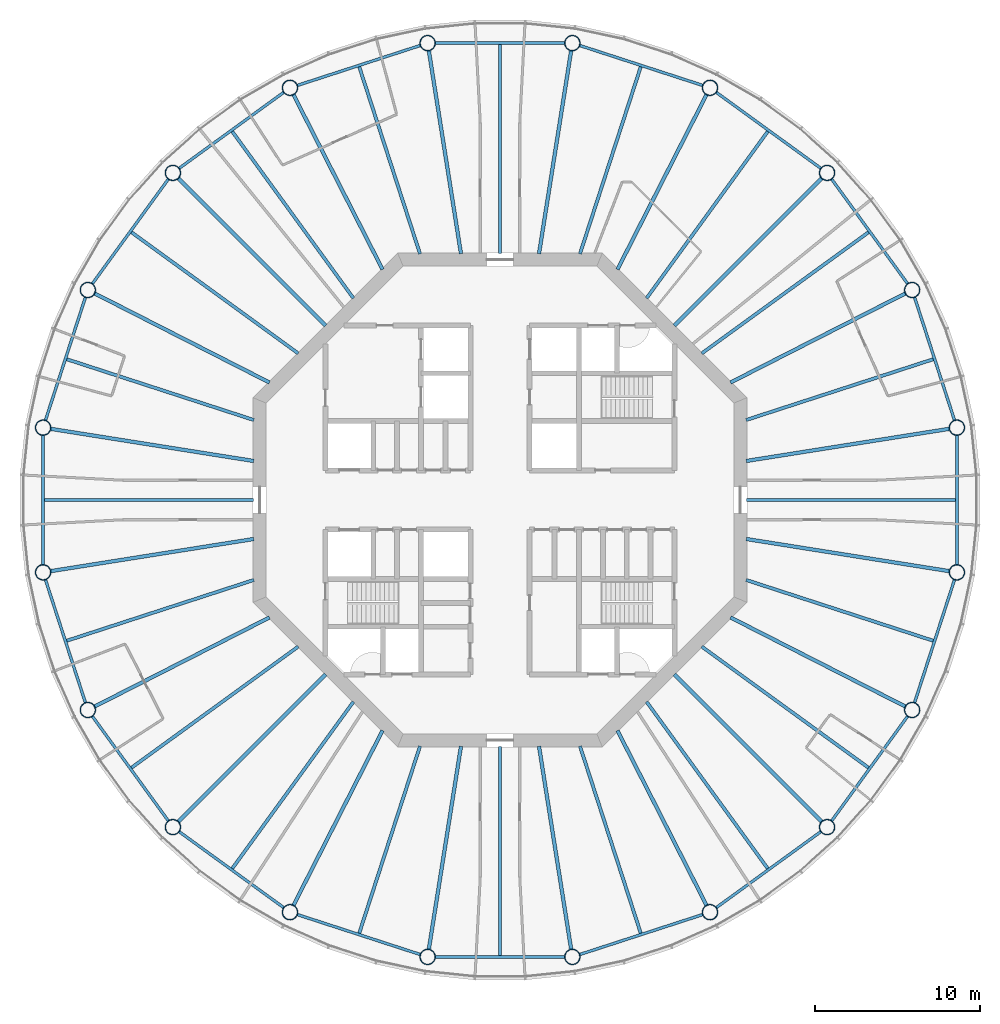
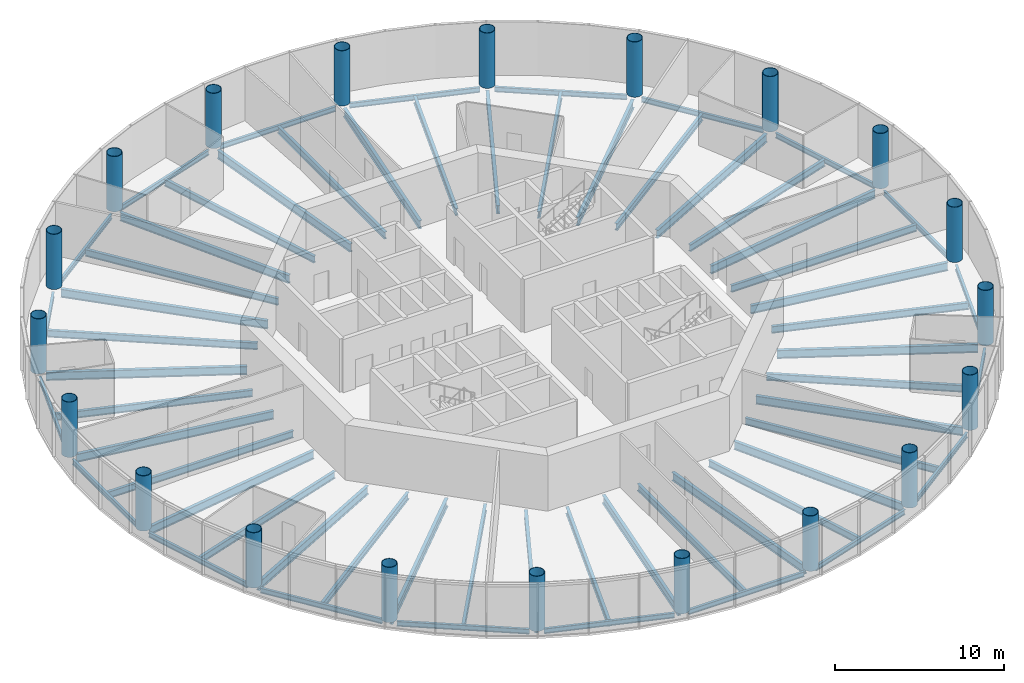
# One storey, part 1 of 13: 60 beams, 20 columns.
"""IFC4 building model written with IfcOpenShell, lengths in metres."""

from ifc_helpers import new_model, si_unit, direction, frame, origin, origin_2d, place, context, subcontext, project, spatial, circle, hollow_circle, i_section, extrude, material, material_profile, profile_set, type_object, element, save


model = new_model("IFC4")

# Units and contexts
model_context = context("Model", 3, precision=1e-05, world=origin(), true_north=direction((0.0, 1.0)))
body_context = subcontext(model_context, "Body", "Model", "MODEL_VIEW")
ifc_project = project(units=[si_unit("LENGTHUNIT", "METRE"), si_unit("AREAUNIT", "SQUARE_METRE"), si_unit("VOLUMEUNIT", "CUBIC_METRE"), si_unit("PLANEANGLEUNIT", "RADIAN"), si_unit("MASSUNIT", "GRAM", prefix="KILO")], contexts=[model_context])

# Site, building, storey
site_placement = place(None, origin())
site = spatial("IfcSite", under=ifc_project, at=site_placement, CompositionType="ELEMENT")
building_placement = place(site_placement, origin())
building = spatial("IfcBuilding", under=site, at=building_placement, Name="Entoto Ring Tower", CompositionType="ELEMENT")
storey_placement = place(building_placement, frame((0.0, 0.0, 318.0)))
storey = spatial("IfcBuildingStorey", under=building, at=storey_placement, Name="L73", CompositionType="ELEMENT", Elevation=318.0)

# Columns
ifc_material_1 = material(Name="Steel S355", Category="steel")
ifc_material_profile_1 = material_profile(ifc_material_1, hollow_circle(Radius=0.47509765625, WallThickness=0.034912109375, at=origin_2d()), Name="CHS 950 x 35")
ifc_material_2 = material(Name="Concrete C60/75", Category="concrete")
ifc_material_profile_2 = material_profile(ifc_material_2, circle(Radius=0.43994140625, at=origin_2d()), Name="Concrete C60/75 infill")
ifc_profile_set_1 = profile_set([ifc_material_profile_1, ifc_material_profile_2], Name="Steel S355")
column_type = type_object("IfcColumnType", Name="Ring column 950 x 35 concrete-filled tube", PredefinedType="COLUMN", material=ifc_profile_set_1)
for number, where, z_axis, x_axis, name in (
    (1, (117.754150390625, 84.395751953125, 0.0), (0.0, 0.0, 1.0), (1.0, 0.0, 0.0), "RC5 R01"),
    (2, (115.037353515625, 92.757080078125, 0.0), (0.0, 0.0, 1.0), (1.0, 0.0, 0.0), "RC5 R02"),
    (3, (109.86962890625, 99.86962890625, 0.0), (0.0, 0.0, 1.0), (1.0, 0.0, 0.0), "RC5 R03"),
    (4, (102.757080078125, 105.037353515625, 0.0), (0.0, 0.0, 1.0), (1.0, 0.0, 0.0), "RC5 R04"),
    (5, (94.395751953125, 107.754150390625, 0.0), (0.0, 0.0, 1.0), (1.0, 0.0, 0.0), "RC5 R05"),
    (6, (85.604248046875, 107.754150390625, 0.0), (0.0, 0.0, 1.0), (1.0, 0.0, 0.0), "RC5 R06"),
    (7, (77.242919921875, 105.037353515625, 0.0), (0.0, 0.0, 1.0), (1.0, 0.0, 0.0), "RC5 R07"),
    (8, (70.13037109375, 99.86962890625, 0.0), (0.0, 0.0, 1.0), (1.0, 0.0, 0.0), "RC5 R08"),
    (9, (64.962646484375, 92.757080078125, 0.0), (0.0, 0.0, 1.0), (1.0, 0.0, 0.0), "RC5 R09"),
    (10, (62.245849609375, 84.395751953125, 0.0), (0.0, 0.0, 1.0), (1.0, 0.0, 0.0), "RC5 R10"),
    (11, (62.245849609375, 75.604248046875, 0.0), (0.0, 0.0, 1.0), (1.0, 0.0, 0.0), "RC5 R11"),
    (12, (64.962646484375, 67.242919921875, 0.0), (0.0, 0.0, 1.0), (1.0, 0.0, 0.0), "RC5 R12"),
    (13, (70.13037109375, 60.13037109375, 0.0), (0.0, 0.0, 1.0), (1.0, 0.0, 0.0), "RC5 R13"),
    (14, (77.242919921875, 54.962646484375, 0.0), (0.0, 0.0, 1.0), (1.0, 0.0, 0.0), "RC5 R14"),
    (15, (85.604248046875, 52.245849609375, 0.0), (0.0, 0.0, 1.0), (1.0, 0.0, 0.0), "RC5 R15"),
    (16, (94.395751953125, 52.245849609375, 0.0), (0.0, 0.0, 1.0), (1.0, 0.0, 0.0), "RC5 R16"),
    (17, (102.757080078125, 54.962646484375, 0.0), (0.0, 0.0, 1.0), (1.0, 0.0, 0.0), "RC5 R17"),
    (18, (109.86962890625, 60.13037109375, 0.0), (0.0, 0.0, 1.0), (1.0, 0.0, 0.0), "RC5 R18"),
    (19, (115.037353515625, 67.242919921875, 0.0), (0.0, 0.0, 1.0), (1.0, 0.0, 0.0), "RC5 R19"),
    (20, (117.754150390625, 75.604248046875, 0.0), (0.0, 0.0, 1.0), (1.0, 0.0, 0.0), "RC5 R20"),
):
    element("IfcColumn", number, at=place(storey_placement, frame(where, z_axis=z_axis, x_axis=x_axis)), inside=storey, type_object=column_type, Name=name, PredefinedType="COLUMN", context=body_context, shape_type="SweptSolid", body=[
        extrude(hollow_circle(Radius=0.47509765625, WallThickness=0.034912109375, at=origin_2d()), origin(), (0.0, 0.0, 1.0), 4.0),
    ])

# Beams
ifc_material_3 = material(Name="Steel S355", Category="steel")
ifc_material_profile_3 = material_profile(ifc_material_3, i_section(OverallWidth=0.169921875, OverallDepth=0.360107421875, WebThickness=0.008056640625, FlangeThickness=0.0126953125, FilletRadius=0.01806640625, at=origin_2d()), Name="IPE 360")
ifc_profile_set_2 = profile_set([ifc_material_profile_3], Name="Steel S355")
beam_type_1 = type_object("IfcBeamType", Name="Edge beam IPE 360", PredefinedType="SPANDREL", material=ifc_profile_set_2)
beam_1_placement = place(storey_placement, frame((117.61572265625, 84.8212890625, -0.330078125), z_axis=(-0.309002883506, 0.951061101079, 0.0), x_axis=(-0.951061101079, -0.309002883506, 0.0)))
element("IfcBeam", 21, at=beam_1_placement, inside=storey, type_object=beam_type_1, Name="Edge beam L73 01", PredefinedType="SPANDREL", context=body_context, shape_type="SweptSolid", body=[
    extrude(i_section(OverallWidth=0.169921875, OverallDepth=0.360107421875, WebThickness=0.008056640625, FlangeThickness=0.0126953125, FilletRadius=0.01806640625, at=origin_2d()), origin(), (0.0, 0.0, 1.0), 7.89697265625),
])
for number, where, z_axis, x_axis, name in (
    (22, (114.7744140625, 93.118896484375, -0.330078125), (-0.587787449408, 0.809015398073, 0.0), (-0.809015398073, -0.587787449408, 0.0), "Edge beam L73 02"),
    (23, (109.5078125, 100.132568359375, -0.330078125), (-0.809015398073, 0.587787449408, 0.0), (-0.587787449408, -0.809015398073, 0.0), "Edge beam L73 03"),
):
    element("IfcBeam", number, at=place(storey_placement, frame(where, z_axis=z_axis, x_axis=x_axis)), inside=storey, type_object=beam_type_1, Name=name, PredefinedType="SPANDREL", context=body_context, shape_type="SweptSolid", body=[
        extrude(i_section(OverallWidth=0.169921875, OverallDepth=0.360107421875, WebThickness=0.008056640625, FlangeThickness=0.0126953125, FilletRadius=0.01806640625, at=origin_2d()), origin(), (0.0, 0.0, 1.0), 7.897216796875),
    ])
for number, where, z_axis, x_axis, name in (
    (24, (102.331787109375, 105.175537109375, -0.330078125), (-0.951061101079, 0.309002883506, 0.0), (-0.309002883506, -0.951061101079, 0.0), "Edge beam L73 04"),
    (25, (93.948486328125, 107.754150390625, -0.330078125), (-1.0, 0.0, 0.0), (0.0, -1.0, 0.0), "Edge beam L73 05"),
    (26, (85.1787109375, 107.61572265625, -0.330078125), (-0.951061101079, -0.309002883506, 0.0), (0.309002883506, -0.951061101079, 0.0), "Edge beam L73 06"),
):
    element("IfcBeam", number, at=place(storey_placement, frame(where, z_axis=z_axis, x_axis=x_axis)), inside=storey, type_object=beam_type_1, Name=name, PredefinedType="SPANDREL", context=body_context, shape_type="SweptSolid", body=[
        extrude(i_section(OverallWidth=0.169921875, OverallDepth=0.360107421875, WebThickness=0.008056640625, FlangeThickness=0.0126953125, FilletRadius=0.01806640625, at=origin_2d()), origin(), (0.0, 0.0, 1.0), 7.89697265625),
    ])
for number, where, z_axis, x_axis, name in (
    (27, (76.881103515625, 104.7744140625, -0.330078125), (-0.809015398073, -0.587787449408, 0.0), (0.587787449408, -0.809015398073, 0.0), "Edge beam L73 07"),
    (28, (69.867431640625, 99.5078125, -0.330078125), (-0.587787449408, -0.809015398073, 0.0), (0.809015398073, -0.587787449408, 0.0), "Edge beam L73 08"),
):
    element("IfcBeam", number, at=place(storey_placement, frame(where, z_axis=z_axis, x_axis=x_axis)), inside=storey, type_object=beam_type_1, Name=name, PredefinedType="SPANDREL", context=body_context, shape_type="SweptSolid", body=[
        extrude(i_section(OverallWidth=0.169921875, OverallDepth=0.360107421875, WebThickness=0.008056640625, FlangeThickness=0.0126953125, FilletRadius=0.01806640625, at=origin_2d()), origin(), (0.0, 0.0, 1.0), 7.897216796875),
    ])
for number, where, z_axis, x_axis, name in (
    (29, (64.824462890625, 92.331787109375, -0.330078125), (-0.309002883506, -0.951061101079, 0.0), (0.951061101079, -0.309002883506, 0.0), "Edge beam L73 09"),
    (30, (62.245849609375, 83.948486328125, -0.330078125), (0.0, -1.0, 0.0), (1.0, 0.0, 0.0), "Edge beam L73 10"),
    (31, (62.38427734375, 75.1787109375, -0.330078125), (0.309002883506, -0.951061101079, 0.0), (0.951061101079, 0.309002883506, 0.0), "Edge beam L73 11"),
):
    element("IfcBeam", number, at=place(storey_placement, frame(where, z_axis=z_axis, x_axis=x_axis)), inside=storey, type_object=beam_type_1, Name=name, PredefinedType="SPANDREL", context=body_context, shape_type="SweptSolid", body=[
        extrude(i_section(OverallWidth=0.169921875, OverallDepth=0.360107421875, WebThickness=0.008056640625, FlangeThickness=0.0126953125, FilletRadius=0.01806640625, at=origin_2d()), origin(), (0.0, 0.0, 1.0), 7.89697265625),
    ])
for number, where, z_axis, x_axis, name in (
    (32, (65.2255859375, 66.881103515625, -0.330078125), (0.587787449408, -0.809015398073, 0.0), (0.809015398073, 0.587787449408, 0.0), "Edge beam L73 12"),
    (33, (70.4921875, 59.867431640625, -0.330078125), (0.809015398073, -0.587787449408, 0.0), (0.587787449408, 0.809015398073, 0.0), "Edge beam L73 13"),
):
    element("IfcBeam", number, at=place(storey_placement, frame(where, z_axis=z_axis, x_axis=x_axis)), inside=storey, type_object=beam_type_1, Name=name, PredefinedType="SPANDREL", context=body_context, shape_type="SweptSolid", body=[
        extrude(i_section(OverallWidth=0.169921875, OverallDepth=0.360107421875, WebThickness=0.008056640625, FlangeThickness=0.0126953125, FilletRadius=0.01806640625, at=origin_2d()), origin(), (0.0, 0.0, 1.0), 7.897216796875),
    ])
for number, where, z_axis, x_axis, name in (
    (34, (77.668212890625, 54.824462890625, -0.330078125), (0.951061101079, -0.309002883506, 0.0), (0.309002883506, 0.951061101079, 0.0), "Edge beam L73 14"),
    (35, (86.051513671875, 52.245849609375, -0.330078125), (1.0, 0.0, 0.0), (0.0, 1.0, 0.0), "Edge beam L73 15"),
    (36, (94.8212890625, 52.38427734375, -0.330078125), (0.951061101079, 0.309002883506, 0.0), (-0.309002883506, 0.951061101079, 0.0), "Edge beam L73 16"),
):
    element("IfcBeam", number, at=place(storey_placement, frame(where, z_axis=z_axis, x_axis=x_axis)), inside=storey, type_object=beam_type_1, Name=name, PredefinedType="SPANDREL", context=body_context, shape_type="SweptSolid", body=[
        extrude(i_section(OverallWidth=0.169921875, OverallDepth=0.360107421875, WebThickness=0.008056640625, FlangeThickness=0.0126953125, FilletRadius=0.01806640625, at=origin_2d()), origin(), (0.0, 0.0, 1.0), 7.89697265625),
    ])
for number, where, z_axis, x_axis, name in (
    (37, (103.118896484375, 55.2255859375, -0.330078125), (0.809015398073, 0.587787449408, 0.0), (-0.587787449408, 0.809015398073, 0.0), "Edge beam L73 17"),
    (38, (110.132568359375, 60.4921875, -0.330078125), (0.587787449408, 0.809015398073, 0.0), (-0.809015398073, 0.587787449408, 0.0), "Edge beam L73 18"),
):
    element("IfcBeam", number, at=place(storey_placement, frame(where, z_axis=z_axis, x_axis=x_axis)), inside=storey, type_object=beam_type_1, Name=name, PredefinedType="SPANDREL", context=body_context, shape_type="SweptSolid", body=[
        extrude(i_section(OverallWidth=0.169921875, OverallDepth=0.360107421875, WebThickness=0.008056640625, FlangeThickness=0.0126953125, FilletRadius=0.01806640625, at=origin_2d()), origin(), (0.0, 0.0, 1.0), 7.897216796875),
    ])
for number, where, z_axis, x_axis, name in (
    (39, (115.175537109375, 67.668212890625, -0.330078125), (0.309002883506, 0.951061101079, 0.0), (-0.951061101079, 0.309002883506, 0.0), "Edge beam L73 19"),
    (40, (117.754150390625, 76.051513671875, -0.330078125), (0.0, 1.0, 0.0), (-1.0, 0.0, 0.0), "Edge beam L73 20"),
):
    element("IfcBeam", number, at=place(storey_placement, frame(where, z_axis=z_axis, x_axis=x_axis)), inside=storey, type_object=beam_type_1, Name=name, PredefinedType="SPANDREL", context=body_context, shape_type="SweptSolid", body=[
        extrude(i_section(OverallWidth=0.169921875, OverallDepth=0.360107421875, WebThickness=0.008056640625, FlangeThickness=0.0126953125, FilletRadius=0.01806640625, at=origin_2d()), origin(), (0.0, 0.0, 1.0), 7.89697265625),
    ])
ifc_material_4 = material(Name="Steel S355", Category="steel")
ifc_material_profile_4 = material_profile(ifc_material_4, i_section(OverallWidth=0.219970703125, OverallDepth=0.60009765625, WebThickness=0.011962890625, FlangeThickness=0.01904296875, FilletRadius=0.02392578125, at=origin_2d()), Name="IPE 600")
ifc_profile_set_3 = profile_set([ifc_material_profile_4], Name="Steel S355")
beam_type_2 = type_object("IfcBeamType", Name="Primary floor beam IPE 600", PredefinedType="BEAM", material=ifc_profile_set_3)
beam_2_placement = place(storey_placement, frame((104.963134765625, 82.369873046875, -0.449951171875), z_axis=(0.987687519796, 0.156439647277, 0.0), x_axis=(-0.156439647277, 0.987687519796, 0.0)))
element("IfcBeam", 41, at=beam_2_placement, inside=storey, type_object=beam_type_2, Name="Primary L73 R01", PredefinedType="BEAM", context=body_context, shape_type="SweptSolid", body=[
    extrude(i_section(OverallWidth=0.219970703125, OverallDepth=0.60009765625, WebThickness=0.011962890625, FlangeThickness=0.01904296875, FilletRadius=0.02392578125, at=origin_2d()), origin(), (0.0, 0.0, 1.0), 12.50830078125),
])
beam_3_placement = place(storey_placement, frame((104.003173828125, 87.135009765625, -0.449951171875), z_axis=(0.891007666593, 0.453988257638, 0.0), x_axis=(-0.453988257638, 0.891007666593, 0.0)))
element("IfcBeam", 42, at=beam_3_placement, inside=storey, type_object=beam_type_2, Name="Primary L73 R02", PredefinedType="BEAM", context=body_context, shape_type="SweptSolid", body=[
    extrude(i_section(OverallWidth=0.219970703125, OverallDepth=0.60009765625, WebThickness=0.011962890625, FlangeThickness=0.01904296875, FilletRadius=0.02392578125, at=origin_2d()), origin(), (0.0, 0.0, 1.0), 11.941650390625),
])
beam_4_placement = place(storey_placement, frame((100.592529296875, 90.592529296875, -0.449951171875), z_axis=(0.707106781187, 0.707106781187, 0.0), x_axis=(-0.707106781187, 0.707106781187, 0.0)))
element("IfcBeam", 43, at=beam_4_placement, inside=storey, type_object=beam_type_2, Name="Primary L73 R03", PredefinedType="BEAM", context=body_context, shape_type="SweptSolid", body=[
    extrude(i_section(OverallWidth=0.219970703125, OverallDepth=0.60009765625, WebThickness=0.011962890625, FlangeThickness=0.01904296875, FilletRadius=0.02392578125, at=origin_2d()), origin(), (0.0, 0.0, 1.0), 12.677978515625),
])
beam_5_placement = place(storey_placement, frame((97.135009765625, 94.003173828125, -0.449951171875), z_axis=(0.453988257638, 0.891007666593, 0.0), x_axis=(-0.891007666593, 0.453988257638, 0.0)))
element("IfcBeam", 44, at=beam_5_placement, inside=storey, type_object=beam_type_2, Name="Primary L73 R04", PredefinedType="BEAM", context=body_context, shape_type="SweptSolid", body=[
    extrude(i_section(OverallWidth=0.219970703125, OverallDepth=0.60009765625, WebThickness=0.011962890625, FlangeThickness=0.01904296875, FilletRadius=0.02392578125, at=origin_2d()), origin(), (0.0, 0.0, 1.0), 11.941650390625),
])
for number, where, z_axis, x_axis, name in (
    (45, (92.369873046875, 94.963134765625, -0.449951171875), (0.156439647277, 0.987687519796, 0.0), (-0.987687519796, 0.156439647277, 0.0), "Primary L73 R05"),
    (46, (87.630126953125, 94.963134765625, -0.449951171875), (-0.156439647277, 0.987687519796, 0.0), (-0.987687519796, -0.156439647277, 0.0), "Primary L73 R06"),
):
    element("IfcBeam", number, at=place(storey_placement, frame(where, z_axis=z_axis, x_axis=x_axis)), inside=storey, type_object=beam_type_2, Name=name, PredefinedType="BEAM", context=body_context, shape_type="SweptSolid", body=[
        extrude(i_section(OverallWidth=0.219970703125, OverallDepth=0.60009765625, WebThickness=0.011962890625, FlangeThickness=0.01904296875, FilletRadius=0.02392578125, at=origin_2d()), origin(), (0.0, 0.0, 1.0), 12.50830078125),
    ])
beam_6_placement = place(storey_placement, frame((82.864990234375, 94.003173828125, -0.449951171875), z_axis=(-0.453988257638, 0.891007666593, 0.0), x_axis=(-0.891007666593, -0.453988257638, 0.0)))
element("IfcBeam", 47, at=beam_6_placement, inside=storey, type_object=beam_type_2, Name="Primary L73 R07", PredefinedType="BEAM", context=body_context, shape_type="SweptSolid", body=[
    extrude(i_section(OverallWidth=0.219970703125, OverallDepth=0.60009765625, WebThickness=0.011962890625, FlangeThickness=0.01904296875, FilletRadius=0.02392578125, at=origin_2d()), origin(), (0.0, 0.0, 1.0), 11.941650390625),
])
beam_7_placement = place(storey_placement, frame((79.407470703125, 90.592529296875, -0.449951171875), z_axis=(-0.707106781187, 0.707106781187, 0.0), x_axis=(-0.707106781187, -0.707106781187, 0.0)))
element("IfcBeam", 48, at=beam_7_placement, inside=storey, type_object=beam_type_2, Name="Primary L73 R08", PredefinedType="BEAM", context=body_context, shape_type="SweptSolid", body=[
    extrude(i_section(OverallWidth=0.219970703125, OverallDepth=0.60009765625, WebThickness=0.011962890625, FlangeThickness=0.01904296875, FilletRadius=0.02392578125, at=origin_2d()), origin(), (0.0, 0.0, 1.0), 12.677978515625),
])
beam_8_placement = place(storey_placement, frame((75.996826171875, 87.135009765625, -0.449951171875), z_axis=(-0.891007666593, 0.453988257638, 0.0), x_axis=(-0.453988257638, -0.891007666593, 0.0)))
element("IfcBeam", 49, at=beam_8_placement, inside=storey, type_object=beam_type_2, Name="Primary L73 R09", PredefinedType="BEAM", context=body_context, shape_type="SweptSolid", body=[
    extrude(i_section(OverallWidth=0.219970703125, OverallDepth=0.60009765625, WebThickness=0.011962890625, FlangeThickness=0.01904296875, FilletRadius=0.02392578125, at=origin_2d()), origin(), (0.0, 0.0, 1.0), 11.941650390625),
])
for number, where, z_axis, x_axis, name in (
    (50, (75.036865234375, 82.369873046875, -0.449951171875), (-0.987687519796, 0.156439647277, 0.0), (-0.156439647277, -0.987687519796, 0.0), "Primary L73 R10"),
    (51, (75.036865234375, 77.630126953125, -0.449951171875), (-0.987687519796, -0.156439647277, 0.0), (0.156439647277, -0.987687519796, 0.0), "Primary L73 R11"),
):
    element("IfcBeam", number, at=place(storey_placement, frame(where, z_axis=z_axis, x_axis=x_axis)), inside=storey, type_object=beam_type_2, Name=name, PredefinedType="BEAM", context=body_context, shape_type="SweptSolid", body=[
        extrude(i_section(OverallWidth=0.219970703125, OverallDepth=0.60009765625, WebThickness=0.011962890625, FlangeThickness=0.01904296875, FilletRadius=0.02392578125, at=origin_2d()), origin(), (0.0, 0.0, 1.0), 12.50830078125),
    ])
beam_9_placement = place(storey_placement, frame((75.996826171875, 72.864990234375, -0.449951171875), z_axis=(-0.891007666593, -0.453988257638, 0.0), x_axis=(0.453988257638, -0.891007666593, 0.0)))
element("IfcBeam", 52, at=beam_9_placement, inside=storey, type_object=beam_type_2, Name="Primary L73 R12", PredefinedType="BEAM", context=body_context, shape_type="SweptSolid", body=[
    extrude(i_section(OverallWidth=0.219970703125, OverallDepth=0.60009765625, WebThickness=0.011962890625, FlangeThickness=0.01904296875, FilletRadius=0.02392578125, at=origin_2d()), origin(), (0.0, 0.0, 1.0), 11.941650390625),
])
beam_10_placement = place(storey_placement, frame((79.407470703125, 69.407470703125, -0.449951171875), z_axis=(-0.707106781187, -0.707106781187, 0.0), x_axis=(0.707106781187, -0.707106781187, 0.0)))
element("IfcBeam", 53, at=beam_10_placement, inside=storey, type_object=beam_type_2, Name="Primary L73 R13", PredefinedType="BEAM", context=body_context, shape_type="SweptSolid", body=[
    extrude(i_section(OverallWidth=0.219970703125, OverallDepth=0.60009765625, WebThickness=0.011962890625, FlangeThickness=0.01904296875, FilletRadius=0.02392578125, at=origin_2d()), origin(), (0.0, 0.0, 1.0), 12.677978515625),
])
beam_11_placement = place(storey_placement, frame((82.864990234375, 65.996826171875, -0.449951171875), z_axis=(-0.453988257638, -0.891007666593, 0.0), x_axis=(0.891007666593, -0.453988257638, 0.0)))
element("IfcBeam", 54, at=beam_11_placement, inside=storey, type_object=beam_type_2, Name="Primary L73 R14", PredefinedType="BEAM", context=body_context, shape_type="SweptSolid", body=[
    extrude(i_section(OverallWidth=0.219970703125, OverallDepth=0.60009765625, WebThickness=0.011962890625, FlangeThickness=0.01904296875, FilletRadius=0.02392578125, at=origin_2d()), origin(), (0.0, 0.0, 1.0), 11.941650390625),
])
for number, where, z_axis, x_axis, name in (
    (55, (87.630126953125, 65.036865234375, -0.449951171875), (-0.156439647277, -0.987687519796, 0.0), (0.987687519796, -0.156439647277, 0.0), "Primary L73 R15"),
    (56, (92.369873046875, 65.036865234375, -0.449951171875), (0.156439647277, -0.987687519796, 0.0), (0.987687519796, 0.156439647277, 0.0), "Primary L73 R16"),
):
    element("IfcBeam", number, at=place(storey_placement, frame(where, z_axis=z_axis, x_axis=x_axis)), inside=storey, type_object=beam_type_2, Name=name, PredefinedType="BEAM", context=body_context, shape_type="SweptSolid", body=[
        extrude(i_section(OverallWidth=0.219970703125, OverallDepth=0.60009765625, WebThickness=0.011962890625, FlangeThickness=0.01904296875, FilletRadius=0.02392578125, at=origin_2d()), origin(), (0.0, 0.0, 1.0), 12.50830078125),
    ])
beam_12_placement = place(storey_placement, frame((97.135009765625, 65.996826171875, -0.449951171875), z_axis=(0.453988257638, -0.891007666593, 0.0), x_axis=(0.891007666593, 0.453988257638, 0.0)))
element("IfcBeam", 57, at=beam_12_placement, inside=storey, type_object=beam_type_2, Name="Primary L73 R17", PredefinedType="BEAM", context=body_context, shape_type="SweptSolid", body=[
    extrude(i_section(OverallWidth=0.219970703125, OverallDepth=0.60009765625, WebThickness=0.011962890625, FlangeThickness=0.01904296875, FilletRadius=0.02392578125, at=origin_2d()), origin(), (0.0, 0.0, 1.0), 11.941650390625),
])
beam_13_placement = place(storey_placement, frame((100.592529296875, 69.407470703125, -0.449951171875), z_axis=(0.707106781187, -0.707106781187, 0.0), x_axis=(0.707106781187, 0.707106781187, 0.0)))
element("IfcBeam", 58, at=beam_13_placement, inside=storey, type_object=beam_type_2, Name="Primary L73 R18", PredefinedType="BEAM", context=body_context, shape_type="SweptSolid", body=[
    extrude(i_section(OverallWidth=0.219970703125, OverallDepth=0.60009765625, WebThickness=0.011962890625, FlangeThickness=0.01904296875, FilletRadius=0.02392578125, at=origin_2d()), origin(), (0.0, 0.0, 1.0), 12.677978515625),
])
beam_14_placement = place(storey_placement, frame((104.003173828125, 72.864990234375, -0.449951171875), z_axis=(0.891007666593, -0.453988257638, 0.0), x_axis=(0.453988257638, 0.891007666593, 0.0)))
element("IfcBeam", 59, at=beam_14_placement, inside=storey, type_object=beam_type_2, Name="Primary L73 R19", PredefinedType="BEAM", context=body_context, shape_type="SweptSolid", body=[
    extrude(i_section(OverallWidth=0.219970703125, OverallDepth=0.60009765625, WebThickness=0.011962890625, FlangeThickness=0.01904296875, FilletRadius=0.02392578125, at=origin_2d()), origin(), (0.0, 0.0, 1.0), 11.941650390625),
])
beam_15_placement = place(storey_placement, frame((104.963134765625, 77.630126953125, -0.449951171875), z_axis=(0.987687519796, -0.156439647277, 0.0), x_axis=(0.156439647277, 0.987687519796, 0.0)))
element("IfcBeam", 60, at=beam_15_placement, inside=storey, type_object=beam_type_2, Name="Primary L73 R20", PredefinedType="BEAM", context=body_context, shape_type="SweptSolid", body=[
    extrude(i_section(OverallWidth=0.219970703125, OverallDepth=0.60009765625, WebThickness=0.011962890625, FlangeThickness=0.01904296875, FilletRadius=0.02392578125, at=origin_2d()), origin(), (0.0, 0.0, 1.0), 12.50830078125),
])
ifc_material_5 = material(Name="Steel S355", Category="steel")
ifc_material_profile_5 = material_profile(ifc_material_5, i_section(OverallWidth=0.199951171875, OverallDepth=0.5, WebThickness=0.01025390625, FlangeThickness=0.01611328125, FilletRadius=0.02099609375, at=origin_2d()), Name="IPE 500")
ifc_profile_set_4 = profile_set([ifc_material_profile_5], Name="Steel S355")
beam_type_3 = type_object("IfcBeamType", Name="Secondary floor beam IPE 500", PredefinedType="JOIST", material=ifc_profile_set_4)
beam_16_placement = place(storey_placement, frame((104.9501953125, 84.857666015625, -0.39990234375), z_axis=(0.951056587506, 0.30901677521, 0.0), x_axis=(-0.30901677521, 0.951056587506, 0.0)))
element("IfcBeam", 61, at=beam_16_placement, inside=storey, type_object=beam_type_3, Name="Secondary beam L73 01", PredefinedType="JOIST", context=body_context, shape_type="SweptSolid", body=[
    extrude(i_section(OverallWidth=0.199951171875, OverallDepth=0.5, WebThickness=0.01025390625, FlangeThickness=0.01611328125, FilletRadius=0.02099609375, at=origin_2d()), origin(), (0.0, 0.0, 1.0), 11.94970703125),
])
for number, where, z_axis, x_axis, name in (
    (62, (102.257568359375, 88.905517578125, -0.39990234375), (0.80901431041, 0.587788946436, 0.0), (-0.587788946436, 0.80901431041, 0.0), "Secondary beam L73 02"),
    (63, (98.905517578125, 92.257568359375, -0.39990234375), (0.587788946436, 0.80901431041, 0.0), (-0.80901431041, 0.587788946436, 0.0), "Secondary beam L73 03"),
):
    element("IfcBeam", number, at=place(storey_placement, frame(where, z_axis=z_axis, x_axis=x_axis)), inside=storey, type_object=beam_type_3, Name=name, PredefinedType="JOIST", context=body_context, shape_type="SweptSolid", body=[
        extrude(i_section(OverallWidth=0.199951171875, OverallDepth=0.5, WebThickness=0.01025390625, FlangeThickness=0.01611328125, FilletRadius=0.02099609375, at=origin_2d()), origin(), (0.0, 0.0, 1.0), 12.51806640625),
    ])
beam_17_placement = place(storey_placement, frame((94.857666015625, 94.9501953125, -0.39990234375), z_axis=(0.30901677521, 0.951056587506, 0.0), x_axis=(-0.951056587506, 0.30901677521, 0.0)))
element("IfcBeam", 64, at=beam_17_placement, inside=storey, type_object=beam_type_3, Name="Secondary beam L73 04", PredefinedType="JOIST", context=body_context, shape_type="SweptSolid", body=[
    extrude(i_section(OverallWidth=0.199951171875, OverallDepth=0.5, WebThickness=0.01025390625, FlangeThickness=0.01611328125, FilletRadius=0.02099609375, at=origin_2d()), origin(), (0.0, 0.0, 1.0), 11.94970703125),
])
beam_18_placement = place(storey_placement, frame((90.0, 94.97998046875, -0.39990234375), z_axis=(0.0, 1.0, 0.0), x_axis=(-1.0, 0.0, 0.0)))
element("IfcBeam", 65, at=beam_18_placement, inside=storey, type_object=beam_type_3, Name="Secondary beam L73 05", PredefinedType="JOIST", context=body_context, shape_type="SweptSolid", body=[
    extrude(i_section(OverallWidth=0.199951171875, OverallDepth=0.5, WebThickness=0.01025390625, FlangeThickness=0.01611328125, FilletRadius=0.02099609375, at=origin_2d()), origin(), (0.0, 0.0, 1.0), 12.68896484375),
])
beam_19_placement = place(storey_placement, frame((85.142333984375, 94.9501953125, -0.39990234375), z_axis=(-0.30901677521, 0.951056587506, 0.0), x_axis=(-0.951056587506, -0.30901677521, 0.0)))
element("IfcBeam", 66, at=beam_19_placement, inside=storey, type_object=beam_type_3, Name="Secondary beam L73 06", PredefinedType="JOIST", context=body_context, shape_type="SweptSolid", body=[
    extrude(i_section(OverallWidth=0.199951171875, OverallDepth=0.5, WebThickness=0.01025390625, FlangeThickness=0.01611328125, FilletRadius=0.02099609375, at=origin_2d()), origin(), (0.0, 0.0, 1.0), 11.94970703125),
])
for number, where, z_axis, x_axis, name in (
    (67, (81.094482421875, 92.257568359375, -0.39990234375), (-0.587788946436, 0.80901431041, 0.0), (-0.80901431041, -0.587788946436, 0.0), "Secondary beam L73 07"),
    (68, (77.742431640625, 88.905517578125, -0.39990234375), (-0.80901431041, 0.587788946436, 0.0), (-0.587788946436, -0.80901431041, 0.0), "Secondary beam L73 08"),
):
    element("IfcBeam", number, at=place(storey_placement, frame(where, z_axis=z_axis, x_axis=x_axis)), inside=storey, type_object=beam_type_3, Name=name, PredefinedType="JOIST", context=body_context, shape_type="SweptSolid", body=[
        extrude(i_section(OverallWidth=0.199951171875, OverallDepth=0.5, WebThickness=0.01025390625, FlangeThickness=0.01611328125, FilletRadius=0.02099609375, at=origin_2d()), origin(), (0.0, 0.0, 1.0), 12.51806640625),
    ])
beam_20_placement = place(storey_placement, frame((75.0498046875, 84.857666015625, -0.39990234375), z_axis=(-0.951056587506, 0.30901677521, 0.0), x_axis=(-0.30901677521, -0.951056587506, 0.0)))
element("IfcBeam", 69, at=beam_20_placement, inside=storey, type_object=beam_type_3, Name="Secondary beam L73 09", PredefinedType="JOIST", context=body_context, shape_type="SweptSolid", body=[
    extrude(i_section(OverallWidth=0.199951171875, OverallDepth=0.5, WebThickness=0.01025390625, FlangeThickness=0.01611328125, FilletRadius=0.02099609375, at=origin_2d()), origin(), (0.0, 0.0, 1.0), 11.94970703125),
])
beam_21_placement = place(storey_placement, frame((75.02001953125, 80.0, -0.39990234375), z_axis=(-1.0, 0.0, 0.0), x_axis=(0.0, -1.0, 0.0)))
element("IfcBeam", 70, at=beam_21_placement, inside=storey, type_object=beam_type_3, Name="Secondary beam L73 10", PredefinedType="JOIST", context=body_context, shape_type="SweptSolid", body=[
    extrude(i_section(OverallWidth=0.199951171875, OverallDepth=0.5, WebThickness=0.01025390625, FlangeThickness=0.01611328125, FilletRadius=0.02099609375, at=origin_2d()), origin(), (0.0, 0.0, 1.0), 12.68896484375),
])
beam_22_placement = place(storey_placement, frame((75.0498046875, 75.142333984375, -0.39990234375), z_axis=(-0.951056587506, -0.30901677521, 0.0), x_axis=(0.30901677521, -0.951056587506, 0.0)))
element("IfcBeam", 71, at=beam_22_placement, inside=storey, type_object=beam_type_3, Name="Secondary beam L73 11", PredefinedType="JOIST", context=body_context, shape_type="SweptSolid", body=[
    extrude(i_section(OverallWidth=0.199951171875, OverallDepth=0.5, WebThickness=0.01025390625, FlangeThickness=0.01611328125, FilletRadius=0.02099609375, at=origin_2d()), origin(), (0.0, 0.0, 1.0), 11.94970703125),
])
for number, where, z_axis, x_axis, name in (
    (72, (77.742431640625, 71.094482421875, -0.39990234375), (-0.80901431041, -0.587788946436, 0.0), (0.587788946436, -0.80901431041, 0.0), "Secondary beam L73 12"),
    (73, (81.094482421875, 67.742431640625, -0.39990234375), (-0.587788946436, -0.80901431041, 0.0), (0.80901431041, -0.587788946436, 0.0), "Secondary beam L73 13"),
):
    element("IfcBeam", number, at=place(storey_placement, frame(where, z_axis=z_axis, x_axis=x_axis)), inside=storey, type_object=beam_type_3, Name=name, PredefinedType="JOIST", context=body_context, shape_type="SweptSolid", body=[
        extrude(i_section(OverallWidth=0.199951171875, OverallDepth=0.5, WebThickness=0.01025390625, FlangeThickness=0.01611328125, FilletRadius=0.02099609375, at=origin_2d()), origin(), (0.0, 0.0, 1.0), 12.51806640625),
    ])
beam_23_placement = place(storey_placement, frame((85.142333984375, 65.0498046875, -0.39990234375), z_axis=(-0.30901677521, -0.951056587506, 0.0), x_axis=(0.951056587506, -0.30901677521, 0.0)))
element("IfcBeam", 74, at=beam_23_placement, inside=storey, type_object=beam_type_3, Name="Secondary beam L73 14", PredefinedType="JOIST", context=body_context, shape_type="SweptSolid", body=[
    extrude(i_section(OverallWidth=0.199951171875, OverallDepth=0.5, WebThickness=0.01025390625, FlangeThickness=0.01611328125, FilletRadius=0.02099609375, at=origin_2d()), origin(), (0.0, 0.0, 1.0), 11.94970703125),
])
beam_24_placement = place(storey_placement, frame((90.0, 65.02001953125, -0.39990234375), z_axis=(0.0, -1.0, 0.0), x_axis=(1.0, 0.0, 0.0)))
element("IfcBeam", 75, at=beam_24_placement, inside=storey, type_object=beam_type_3, Name="Secondary beam L73 15", PredefinedType="JOIST", context=body_context, shape_type="SweptSolid", body=[
    extrude(i_section(OverallWidth=0.199951171875, OverallDepth=0.5, WebThickness=0.01025390625, FlangeThickness=0.01611328125, FilletRadius=0.02099609375, at=origin_2d()), origin(), (0.0, 0.0, 1.0), 12.68896484375),
])
beam_25_placement = place(storey_placement, frame((94.857666015625, 65.0498046875, -0.39990234375), z_axis=(0.30901677521, -0.951056587506, 0.0), x_axis=(0.951056587506, 0.30901677521, 0.0)))
element("IfcBeam", 76, at=beam_25_placement, inside=storey, type_object=beam_type_3, Name="Secondary beam L73 16", PredefinedType="JOIST", context=body_context, shape_type="SweptSolid", body=[
    extrude(i_section(OverallWidth=0.199951171875, OverallDepth=0.5, WebThickness=0.01025390625, FlangeThickness=0.01611328125, FilletRadius=0.02099609375, at=origin_2d()), origin(), (0.0, 0.0, 1.0), 11.94970703125),
])
for number, where, z_axis, x_axis, name in (
    (77, (98.905517578125, 67.742431640625, -0.39990234375), (0.587788946436, -0.80901431041, 0.0), (0.80901431041, 0.587788946436, 0.0), "Secondary beam L73 17"),
    (78, (102.257568359375, 71.094482421875, -0.39990234375), (0.80901431041, -0.587788946436, 0.0), (0.587788946436, 0.80901431041, 0.0), "Secondary beam L73 18"),
):
    element("IfcBeam", number, at=place(storey_placement, frame(where, z_axis=z_axis, x_axis=x_axis)), inside=storey, type_object=beam_type_3, Name=name, PredefinedType="JOIST", context=body_context, shape_type="SweptSolid", body=[
        extrude(i_section(OverallWidth=0.199951171875, OverallDepth=0.5, WebThickness=0.01025390625, FlangeThickness=0.01611328125, FilletRadius=0.02099609375, at=origin_2d()), origin(), (0.0, 0.0, 1.0), 12.51806640625),
    ])
beam_26_placement = place(storey_placement, frame((104.9501953125, 75.142333984375, -0.39990234375), z_axis=(0.951056587506, -0.30901677521, 0.0), x_axis=(0.30901677521, 0.951056587506, 0.0)))
element("IfcBeam", 79, at=beam_26_placement, inside=storey, type_object=beam_type_3, Name="Secondary beam L73 19", PredefinedType="JOIST", context=body_context, shape_type="SweptSolid", body=[
    extrude(i_section(OverallWidth=0.199951171875, OverallDepth=0.5, WebThickness=0.01025390625, FlangeThickness=0.01611328125, FilletRadius=0.02099609375, at=origin_2d()), origin(), (0.0, 0.0, 1.0), 11.94970703125),
])
beam_27_placement = place(storey_placement, frame((104.97998046875, 80.0, -0.39990234375), z_axis=(1.0, 0.0, 0.0), x_axis=(0.0, 1.0, 0.0)))
element("IfcBeam", 80, at=beam_27_placement, inside=storey, type_object=beam_type_3, Name="Secondary beam L73 20", PredefinedType="JOIST", context=body_context, shape_type="SweptSolid", body=[
    extrude(i_section(OverallWidth=0.199951171875, OverallDepth=0.5, WebThickness=0.01025390625, FlangeThickness=0.01611328125, FilletRadius=0.02099609375, at=origin_2d()), origin(), (0.0, 0.0, 1.0), 12.68896484375),
])

save(model, "model.ifc")
